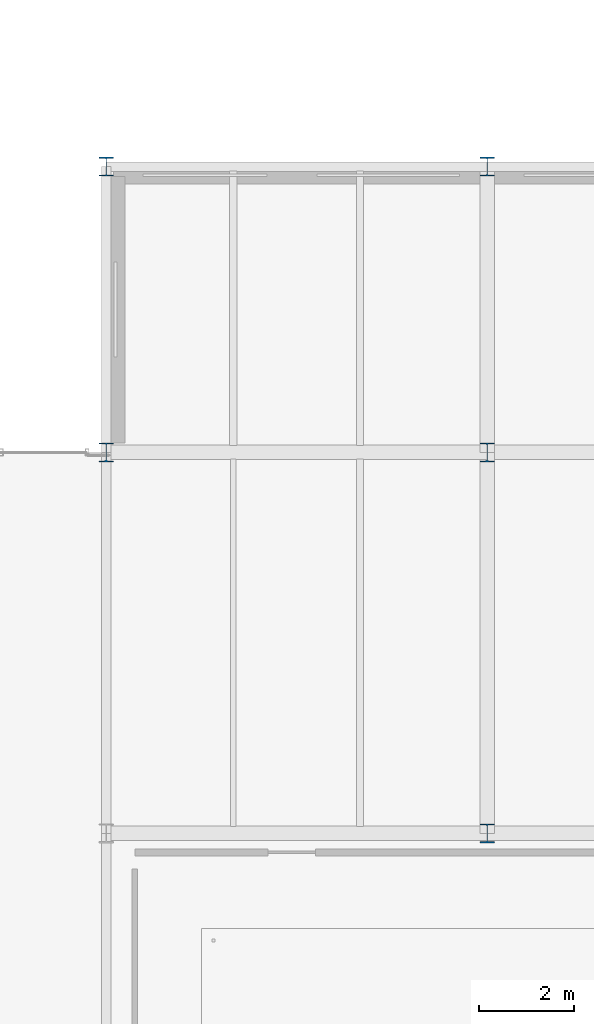
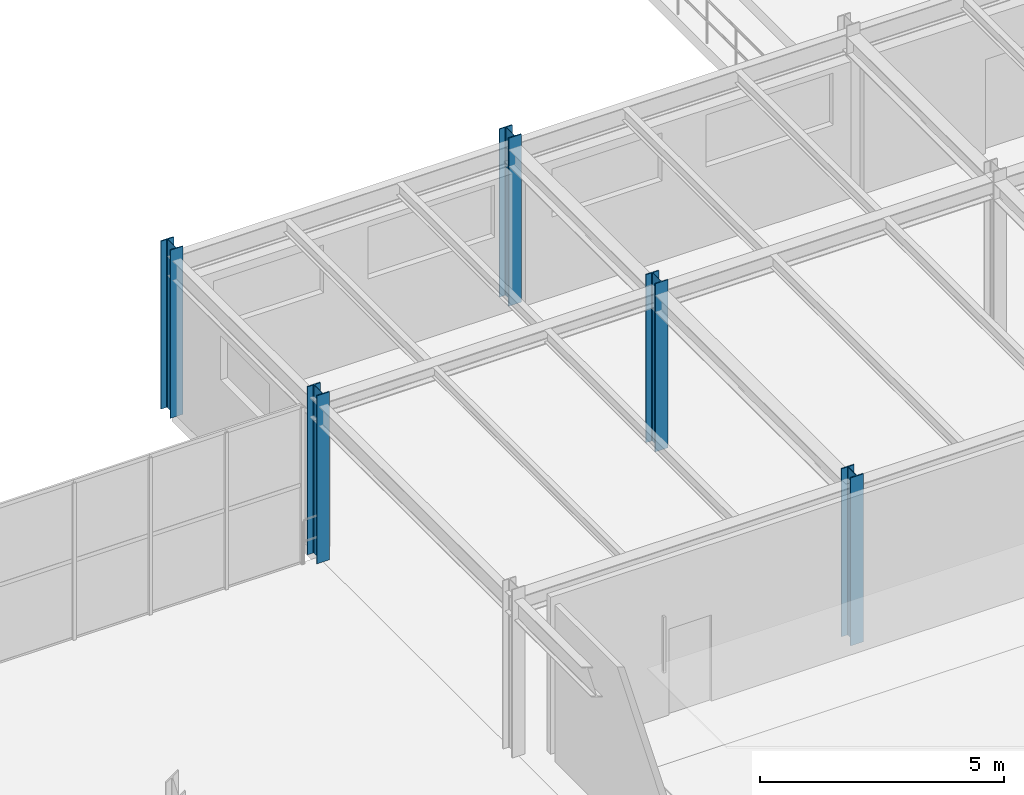
# One storey, part 5 of 67: 5 columns.
"""IFC4 building model written with IfcOpenShell, lengths in metres."""

from ifc_helpers import new_model, si_unit, direction, frame, origin, origin_2d, place, context, subcontext, project, spatial, i_section, extrude, material, material_profile, profile_set, type_object, element, save


model = new_model("IFC4")

# Units and contexts
model_context = context("Model", 3, precision=1e-05, world=origin(), true_north=direction((0.0, 1.0)))
body_context = subcontext(model_context, "Body", "Model", "MODEL_VIEW")
ifc_project = project(units=[si_unit("LENGTHUNIT", "METRE"), si_unit("AREAUNIT", "SQUARE_METRE"), si_unit("VOLUMEUNIT", "CUBIC_METRE"), si_unit("PLANEANGLEUNIT", "RADIAN"), si_unit("MASSUNIT", "GRAM", prefix="KILO")], contexts=[model_context])

# Site, building, storey
site_placement = place(None, origin())
site = spatial("IfcSite", under=ifc_project, at=site_placement, CompositionType="ELEMENT")
building_placement = place(site_placement, origin())
building = spatial("IfcBuilding", under=site, at=building_placement, Name="Sundkrona Museum", CompositionType="ELEMENT")
storey_placement = place(building_placement, frame((0.0, 0.0, 21.800048828125)))
storey = spatial("IfcBuildingStorey", under=building, at=storey_placement, Name="L04", CompositionType="ELEMENT", Elevation=21.800048828125)

# Columns
ifc_material = material(Name="Steel S355J2", Category="steel")
ifc_material_profile = material_profile(ifc_material, i_section(OverallWidth=0.300048828125, OverallDepth=0.39990234375, WebThickness=0.013427734375, FlangeThickness=0.02392578125, FilletRadius=0.027099609375, at=origin_2d()), Name="HEB 400")
ifc_profile_set = profile_set([ifc_material_profile], Name="Steel S355J2")
column_type = type_object("IfcColumnType", Name="C-HEB400", PredefinedType="COLUMN", material=ifc_profile_set)
for number, where, z_axis, x_axis, name in (
    (1, (120.0, 40.0, 0.0), (0.0, 0.0, 1.0), (1.0, 0.0, 0.0), "L04 Column F/16"),
    (2, (120.0, 46.0, 0.0), (0.0, 0.0, 1.0), (1.0, 0.0, 0.0), "L04 Column G/16"),
    (3, (128.0, 32.0, 0.0), (0.0, 0.0, 1.0), (1.0, 0.0, 0.0), "L04 Column E/17"),
    (4, (128.0, 40.0, 0.0), (0.0, 0.0, 1.0), (1.0, 0.0, 0.0), "L04 Column F/17"),
    (5, (128.0, 46.0, 0.0), (0.0, 0.0, 1.0), (1.0, 0.0, 0.0), "L04 Column G/17"),
):
    element("IfcColumn", number, at=place(storey_placement, frame(where, z_axis=z_axis, x_axis=x_axis)), inside=storey, type_object=column_type, Name=name, PredefinedType="COLUMN", context=body_context, shape_type="SweptSolid", body=[
        extrude(i_section(OverallWidth=0.300048828125, OverallDepth=0.39990234375, WebThickness=0.013427734375, FlangeThickness=0.02392578125, FilletRadius=0.027099609375, at=origin_2d()), origin(), (0.0, 0.0, 1.0), 4.199951171875),
    ])

save(model, "model.ifc")
